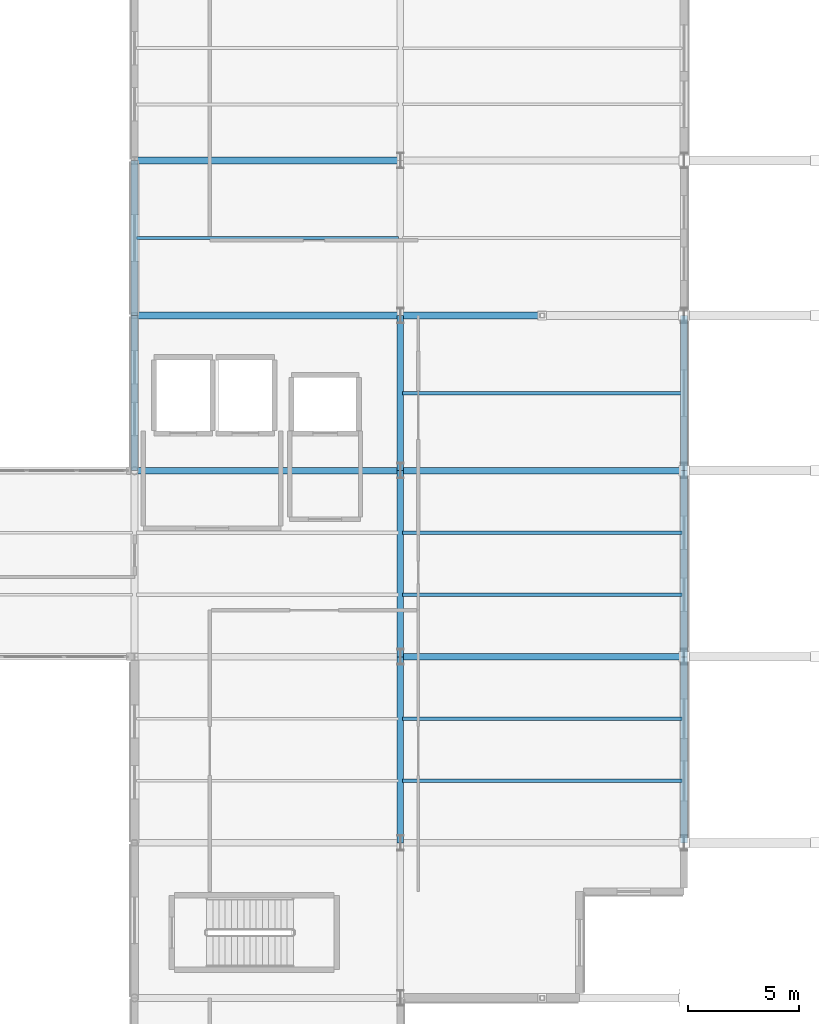
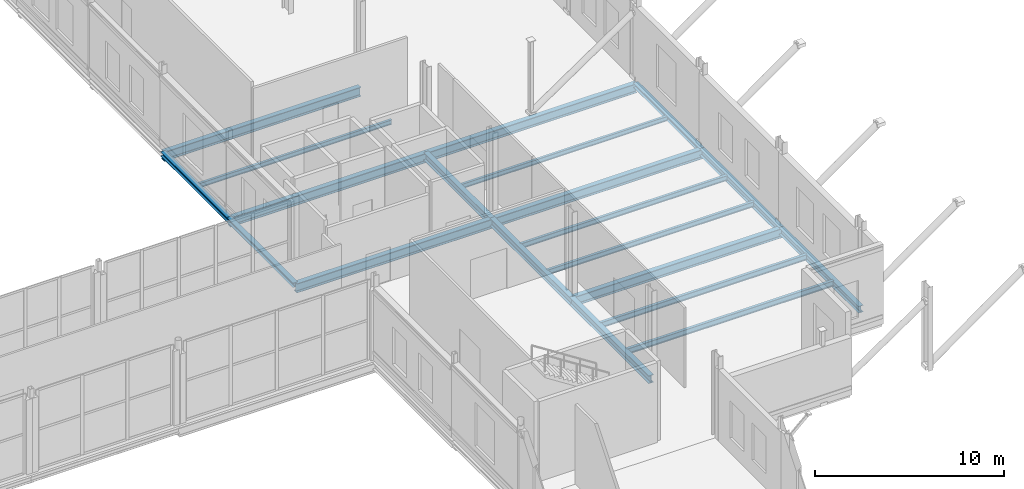
# One storey, part 93 of 147: 20 beams.
"""IFC4 building model written with IfcOpenShell, lengths in metres."""

from ifc_helpers import new_model, si_unit, direction, frame, origin, origin_2d, place, context, subcontext, project, spatial, i_section, extrude, material, material_profile, profile_set, type_object, element, save


model = new_model("IFC4")

# Units and contexts
model_context = context("Model", 3, precision=1e-05, world=origin(), true_north=direction((0.0, 1.0)))
body_context = subcontext(model_context, "Body", "Model", "MODEL_VIEW")
ifc_project = project(units=[si_unit("LENGTHUNIT", "METRE"), si_unit("AREAUNIT", "SQUARE_METRE"), si_unit("VOLUMEUNIT", "CUBIC_METRE"), si_unit("PLANEANGLEUNIT", "RADIAN"), si_unit("MASSUNIT", "GRAM", prefix="KILO")], contexts=[model_context])

# Site, building, storey
site_placement = place(None, origin())
site = spatial("IfcSite", under=ifc_project, at=site_placement, CompositionType="ELEMENT")
building_placement = place(site_placement, origin())
building = spatial("IfcBuilding", under=site, at=building_placement, Name="Vekula Escarpment Museum", CompositionType="ELEMENT")
storey_placement = place(building_placement, frame((0.0, 0.0, 7.800048828125)))
storey = spatial("IfcBuildingStorey", under=building, at=storey_placement, Name="L02", CompositionType="ELEMENT", Elevation=7.800048828125)

# Beams
ifc_material_1 = material(Name="Steel S355", Category="steel")
ifc_material_profile_1 = material_profile(ifc_material_1, i_section(OverallWidth=0.300048828125, OverallDepth=0.5, WebThickness=0.014404296875, FlangeThickness=0.028076171875, FilletRadius=0.027099609375, at=origin_2d()), Name="HEB 500")
ifc_profile_set_1 = profile_set([ifc_material_profile_1], Name="Steel S355")
beam_type_1 = type_object("IfcBeamType", Name="BM-GIRD-HEB500", PredefinedType="BEAM", material=ifc_profile_set_1)
for number, where, z_axis, x_axis, name in (
    (1, (179.0, 59.60009765625, -0.510009765625), (0.0, 1.0, 0.0), (-1.0, 0.0, 0.0), "Beam Y L02 1248"),
    (2, (179.0, 68.0, -0.510009765625), (0.0, 1.0, 0.0), (-1.0, 0.0, 0.0), "Beam Y L02 1249"),
):
    element("IfcBeam", number, at=place(storey_placement, frame(where, z_axis=z_axis, x_axis=x_axis)), inside=storey, type_object=beam_type_1, Name=name, PredefinedType="BEAM", context=body_context, shape_type="SweptSolid", body=[
        extrude(i_section(OverallWidth=0.300048828125, OverallDepth=0.5, WebThickness=0.014404296875, FlangeThickness=0.028076171875, FilletRadius=0.027099609375, at=origin_2d()), origin(), (0.0, 0.0, 1.0), 8.39990234375),
    ])
beam_1_placement = place(storey_placement, frame((179.0, 76.39990234375, -0.510009765625), z_axis=(0.0, 1.0, 0.0), x_axis=(-1.0, 0.0, 0.0)))
element("IfcBeam", 3, at=beam_1_placement, inside=storey, type_object=beam_type_1, Name="Beam Y L02 1250", PredefinedType="BEAM", context=body_context, shape_type="SweptSolid", body=[
    extrude(i_section(OverallWidth=0.300048828125, OverallDepth=0.5, WebThickness=0.014404296875, FlangeThickness=0.028076171875, FilletRadius=0.027099609375, at=origin_2d()), origin(), (0.0, 0.0, 1.0), 7.0),
])
ifc_material_2 = material(Name="Steel S355", Category="steel")
ifc_material_profile_2 = material_profile(ifc_material_2, i_section(OverallWidth=0.300048828125, OverallDepth=0.60009765625, WebThickness=0.015380859375, FlangeThickness=0.030029296875, FilletRadius=0.027099609375, at=origin_2d()), Name="HEB 600")
ifc_profile_set_2 = profile_set([ifc_material_profile_2], Name="Steel S355")
beam_type_2 = type_object("IfcBeamType", Name="BM-GIRD-HEB600", PredefinedType="BEAM", material=ifc_profile_set_2)
beam_2_placement = place(storey_placement, frame((179.0, 68.0, -0.56005859375), z_axis=(1.0, 0.0, 0.0), x_axis=(0.0, 1.0, 0.0)))
element("IfcBeam", 4, at=beam_2_placement, inside=storey, type_object=beam_type_2, Name="Beam X L02 0906", PredefinedType="BEAM", context=body_context, shape_type="SweptSolid", body=[
    extrude(i_section(OverallWidth=0.300048828125, OverallDepth=0.60009765625, WebThickness=0.015380859375, FlangeThickness=0.030029296875, FilletRadius=0.027099609375, at=origin_2d()), origin(), (0.0, 0.0, 1.0), 12.800048828125),
])
beam_3_placement = place(storey_placement, frame((167.0, 76.39990234375, -0.56005859375), z_axis=(1.0, 0.0, 0.0), x_axis=(0.0, 1.0, 0.0)))
element("IfcBeam", 5, at=beam_3_placement, inside=storey, type_object=beam_type_2, Name="Beam X L02 0928", PredefinedType="BEAM", context=body_context, shape_type="SweptSolid", body=[
    extrude(i_section(OverallWidth=0.300048828125, OverallDepth=0.60009765625, WebThickness=0.015380859375, FlangeThickness=0.030029296875, FilletRadius=0.027099609375, at=origin_2d()), origin(), (0.0, 0.0, 1.0), 12.0),
])
beam_4_placement = place(storey_placement, frame((179.0, 76.39990234375, -0.56005859375), z_axis=(1.0, 0.0, 0.0), x_axis=(0.0, 1.0, 0.0)))
element("IfcBeam", 6, at=beam_4_placement, inside=storey, type_object=beam_type_2, Name="Beam X L02 0929", PredefinedType="BEAM", context=body_context, shape_type="SweptSolid", body=[
    extrude(i_section(OverallWidth=0.300048828125, OverallDepth=0.60009765625, WebThickness=0.015380859375, FlangeThickness=0.030029296875, FilletRadius=0.027099609375, at=origin_2d()), origin(), (0.0, 0.0, 1.0), 12.800048828125),
])
beam_5_placement = place(storey_placement, frame((167.0, 83.39990234375, -0.56005859375), z_axis=(1.0, 0.0, 0.0), x_axis=(0.0, 1.0, 0.0)))
element("IfcBeam", 7, at=beam_5_placement, inside=storey, type_object=beam_type_2, Name="Beam X L02 0947", PredefinedType="BEAM", context=body_context, shape_type="SweptSolid", body=[
    extrude(i_section(OverallWidth=0.300048828125, OverallDepth=0.60009765625, WebThickness=0.015380859375, FlangeThickness=0.030029296875, FilletRadius=0.027099609375, at=origin_2d()), origin(), (0.0, 0.0, 1.0), 12.0),
])
beam_6_placement = place(storey_placement, frame((179.0, 83.39990234375, -0.56005859375), z_axis=(1.0, 0.0, 0.0), x_axis=(0.0, 1.0, 0.0)))
element("IfcBeam", 8, at=beam_6_placement, inside=storey, type_object=beam_type_2, Name="Beam X L02 0948", PredefinedType="BEAM", context=body_context, shape_type="SweptSolid", body=[
    extrude(i_section(OverallWidth=0.300048828125, OverallDepth=0.60009765625, WebThickness=0.015380859375, FlangeThickness=0.030029296875, FilletRadius=0.027099609375, at=origin_2d()), origin(), (0.0, 0.0, 1.0), 12.800048828125),
])
beam_7_placement = place(storey_placement, frame((167.0, 90.39990234375, -0.56005859375), z_axis=(1.0, 0.0, 0.0), x_axis=(0.0, 1.0, 0.0)))
element("IfcBeam", 9, at=beam_7_placement, inside=storey, type_object=beam_type_2, Name="Beam X L02 0957", PredefinedType="BEAM", context=body_context, shape_type="SweptSolid", body=[
    extrude(i_section(OverallWidth=0.300048828125, OverallDepth=0.60009765625, WebThickness=0.015380859375, FlangeThickness=0.030029296875, FilletRadius=0.027099609375, at=origin_2d()), origin(), (0.0, 0.0, 1.0), 12.0),
])
ifc_material_3 = material(Name="Steel S355", Category="steel")
ifc_material_profile_3 = material_profile(ifc_material_3, i_section(OverallWidth=0.14990234375, OverallDepth=0.300048828125, WebThickness=0.007080078125, FlangeThickness=0.0107421875, FilletRadius=0.014892578125, at=origin_2d()), Name="IPE 300")
ifc_profile_set_3 = profile_set([ifc_material_profile_3], Name="Steel S355")
beam_type_3 = type_object("IfcBeamType", Name="BM-JST-IPE300", PredefinedType="JOIST", material=ifc_profile_set_3)
beam_8_placement = place(storey_placement, frame((167.090087890625, 86.89990234375, -0.41015625), z_axis=(1.0, 0.0, 0.0), x_axis=(0.0, 1.0, 0.0)))
element("IfcBeam", 10, at=beam_8_placement, inside=storey, type_object=beam_type_3, Name="Secondary Joist L02 0857", PredefinedType="JOIST", context=body_context, shape_type="SweptSolid", body=[
    extrude(i_section(OverallWidth=0.14990234375, OverallDepth=0.300048828125, WebThickness=0.007080078125, FlangeThickness=0.0107421875, FilletRadius=0.014892578125, at=origin_2d()), origin(), (0.0, 0.0, 1.0), 11.81982421875),
])
beam_9_placement = place(storey_placement, frame((179.090087890625, 79.89990234375, -0.41015625), z_axis=(1.0, 0.0, 0.0), x_axis=(0.0, 1.0, 0.0)))
element("IfcBeam", 11, at=beam_9_placement, inside=storey, type_object=beam_type_3, Name="Secondary Joist L02 0874", PredefinedType="JOIST", context=body_context, shape_type="SweptSolid", body=[
    extrude(i_section(OverallWidth=0.14990234375, OverallDepth=0.300048828125, WebThickness=0.007080078125, FlangeThickness=0.0107421875, FilletRadius=0.014892578125, at=origin_2d()), origin(), (0.0, 0.0, 1.0), 12.619873046875),
])
ifc_material_4 = material(Name="Steel S355", Category="steel")
ifc_material_profile_4 = material_profile(ifc_material_4, i_section(OverallWidth=0.159912109375, OverallDepth=0.330078125, WebThickness=0.007568359375, FlangeThickness=0.011474609375, FilletRadius=0.01806640625, at=origin_2d()), Name="IPE 330")
ifc_profile_set_4 = profile_set([ifc_material_profile_4], Name="Steel S355")
beam_type_4 = type_object("IfcBeamType", Name="BM-JST-IPE330", PredefinedType="JOIST", material=ifc_profile_set_4)
for number, where, z_axis, x_axis, name in (
    (12, (179.090087890625, 70.800048828125, -0.425048828125), (1.0, 0.0, 0.0), (0.0, 1.0, 0.0), "Secondary Joist L02 0872"),
    (13, (179.090087890625, 73.60009765625, -0.425048828125), (1.0, 0.0, 0.0), (0.0, 1.0, 0.0), "Secondary Joist L02 0873"),
):
    element("IfcBeam", number, at=place(storey_placement, frame(where, z_axis=z_axis, x_axis=x_axis)), inside=storey, type_object=beam_type_4, Name=name, PredefinedType="JOIST", context=body_context, shape_type="SweptSolid", body=[
        extrude(i_section(OverallWidth=0.159912109375, OverallDepth=0.330078125, WebThickness=0.007568359375, FlangeThickness=0.011474609375, FilletRadius=0.01806640625, at=origin_2d()), origin(), (0.0, 0.0, 1.0), 12.619873046875),
    ])
ifc_material_5 = material(Name="Steel S355", Category="steel")
ifc_material_profile_5 = material_profile(ifc_material_5, i_section(OverallWidth=0.169921875, OverallDepth=0.360107421875, WebThickness=0.008056640625, FlangeThickness=0.0126953125, FilletRadius=0.01806640625, at=origin_2d()), Name="IPE 360")
ifc_profile_set_5 = profile_set([ifc_material_profile_5], Name="Steel S355")
beam_type_5 = type_object("IfcBeamType", Name="BM-JST-IPE360", PredefinedType="JOIST", material=ifc_profile_set_5)
for number, where, z_axis, x_axis, name in (
    (14, (179.090087890625, 62.39990234375, -0.43994140625), (1.0, 0.0, 0.0), (0.0, 1.0, 0.0), "Secondary Joist L02 0870"),
    (15, (179.090087890625, 65.199951171875, -0.43994140625), (1.0, 0.0, 0.0), (0.0, 1.0, 0.0), "Secondary Joist L02 0871"),
):
    element("IfcBeam", number, at=place(storey_placement, frame(where, z_axis=z_axis, x_axis=x_axis)), inside=storey, type_object=beam_type_5, Name=name, PredefinedType="JOIST", context=body_context, shape_type="SweptSolid", body=[
        extrude(i_section(OverallWidth=0.169921875, OverallDepth=0.360107421875, WebThickness=0.008056640625, FlangeThickness=0.0126953125, FilletRadius=0.01806640625, at=origin_2d()), origin(), (0.0, 0.0, 1.0), 12.619873046875),
    ])
ifc_material_6 = material(Name="Steel S355", Category="steel")
ifc_material_profile_6 = material_profile(ifc_material_6, i_section(OverallWidth=0.300048828125, OverallDepth=0.2900390625, WebThickness=0.008544921875, FlangeThickness=0.013916015625, FilletRadius=0.027099609375, at=origin_2d()), Name="HEA 300")
ifc_profile_set_6 = profile_set([ifc_material_profile_6], Name="Steel S355")
beam_type_6 = type_object("IfcBeamType", Name="BM-SPAN-HEA300", PredefinedType="SPANDREL", material=ifc_profile_set_6)
for number, where, z_axis, x_axis, name in (
    (16, (167.0, 76.39990234375, -0.405029296875), (0.0, 1.0, 0.0), (-1.0, 0.0, 0.0), "Beam Y L02 1231"),
    (17, (167.0, 83.39990234375, -0.405029296875), (0.0, 1.0, 0.0), (-1.0, 0.0, 0.0), "Beam Y L02 1232"),
    (18, (191.800048828125, 76.39990234375, -0.405029296875), (0.0, 1.0, 0.0), (-1.0, 0.0, 0.0), "Beam Y L02 1262"),
):
    element("IfcBeam", number, at=place(storey_placement, frame(where, z_axis=z_axis, x_axis=x_axis)), inside=storey, type_object=beam_type_6, Name=name, PredefinedType="SPANDREL", context=body_context, shape_type="SweptSolid", body=[
        extrude(i_section(OverallWidth=0.300048828125, OverallDepth=0.2900390625, WebThickness=0.008544921875, FlangeThickness=0.013916015625, FilletRadius=0.027099609375, at=origin_2d()), origin(), (0.0, 0.0, 1.0), 7.0),
    ])
ifc_material_7 = material(Name="Steel S355", Category="steel")
ifc_material_profile_7 = material_profile(ifc_material_7, i_section(OverallWidth=0.300048828125, OverallDepth=0.43994140625, WebThickness=0.011474609375, FlangeThickness=0.02099609375, FilletRadius=0.027099609375, at=origin_2d()), Name="HEA 450")
ifc_profile_set_7 = profile_set([ifc_material_profile_7], Name="Steel S355")
beam_type_7 = type_object("IfcBeamType", Name="BM-SPAN-HEA450", PredefinedType="SPANDREL", material=ifc_profile_set_7)
for number, where, z_axis, x_axis, name in (
    (19, (191.800048828125, 59.60009765625, -0.47998046875), (0.0, 1.0, 0.0), (-1.0, 0.0, 0.0), "Beam Y L02 1260"),
    (20, (191.800048828125, 68.0, -0.47998046875), (0.0, 1.0, 0.0), (-1.0, 0.0, 0.0), "Beam Y L02 1261"),
):
    element("IfcBeam", number, at=place(storey_placement, frame(where, z_axis=z_axis, x_axis=x_axis)), inside=storey, type_object=beam_type_7, Name=name, PredefinedType="SPANDREL", context=body_context, shape_type="SweptSolid", body=[
        extrude(i_section(OverallWidth=0.300048828125, OverallDepth=0.43994140625, WebThickness=0.011474609375, FlangeThickness=0.02099609375, FilletRadius=0.027099609375, at=origin_2d()), origin(), (0.0, 0.0, 1.0), 8.39990234375),
    ])

save(model, "model.ifc")
